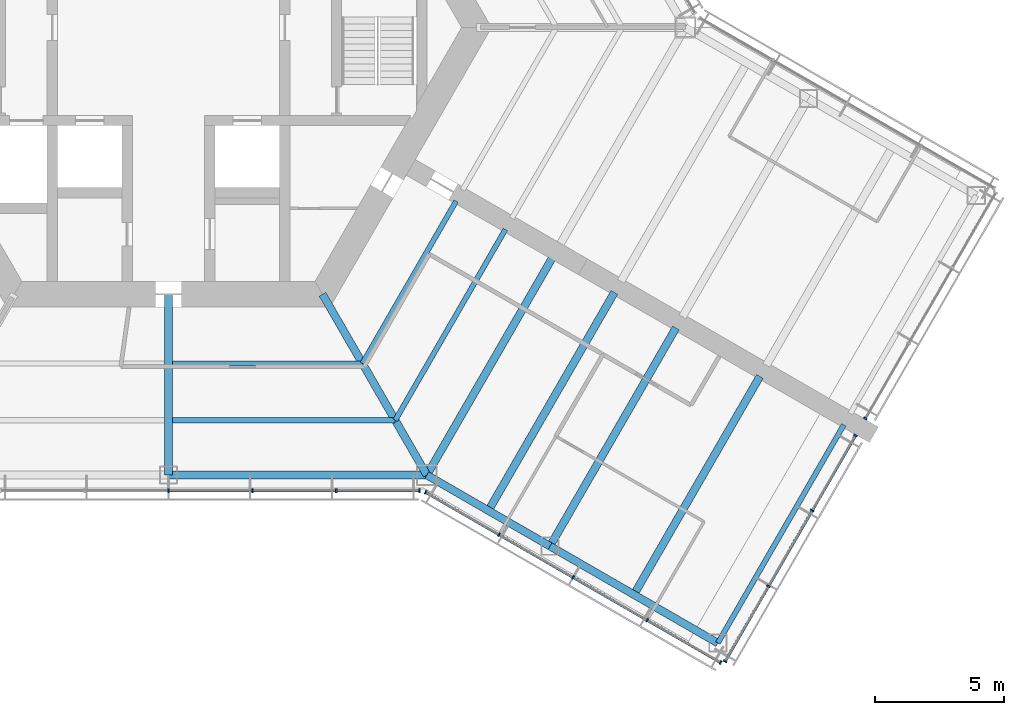
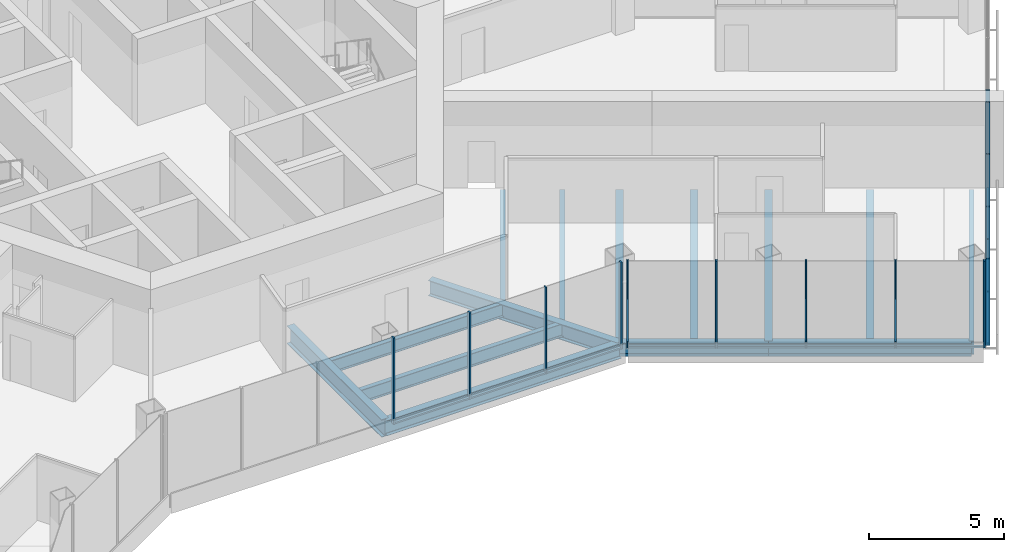
# One storey, part 5 of 18: 24 members, 14 beams, 4 elements without a shape of their own.
"""IFC4 building model written with IfcOpenShell, lengths in metres."""

from ifc_helpers import new_model, si_unit, direction, frame, origin, origin_2d, place, context, subcontext, project, spatial, rectangle, i_section, extrude, material, material_profile, profile_set, type_object, element, aggregate, save


model = new_model("IFC4")

# Units and contexts
model_context = context("Model", 3, precision=1e-05, world=origin(), true_north=direction((0.0, 1.0)))
body_context = subcontext(model_context, "Body", "Model", "MODEL_VIEW")
ifc_project = project(units=[si_unit("LENGTHUNIT", "METRE"), si_unit("AREAUNIT", "SQUARE_METRE"), si_unit("VOLUMEUNIT", "CUBIC_METRE"), si_unit("PLANEANGLEUNIT", "RADIAN"), si_unit("MASSUNIT", "GRAM", prefix="KILO")], contexts=[model_context])

# Site, building, storey
site_placement = place(None, origin())
site = spatial("IfcSite", under=ifc_project, at=site_placement, CompositionType="ELEMENT")
building_placement = place(site_placement, origin())
building = spatial("IfcBuilding", under=site, at=building_placement, Name="Kasaneha Research Tower", CompositionType="ELEMENT")
storey_placement = place(building_placement, frame((0.0, 0.0, 152.60009765625)))
storey = spatial("IfcBuildingStorey", under=building, at=storey_placement, Name="L38", CompositionType="ELEMENT", Elevation=152.60009765625)

# Beams
ifc_material_1 = material(Name="Steel SN490B", Category="steel")
ifc_material_profile_1 = material_profile(ifc_material_1, i_section(OverallWidth=0.199951171875, OverallDepth=0.60009765625, WebThickness=0.010986328125, FlangeThickness=0.01708984375, FilletRadius=0.012939453125, at=origin_2d()), Name="H-600x200x11x17")
ifc_profile_set_1 = profile_set([ifc_material_profile_1], Name="Steel SN490B")
beam_type_1 = type_object("IfcBeamType", Name="B1-3 secondary beam H-600x200x11x17", PredefinedType="JOIST", material=ifc_profile_set_1)
beam_1_placement = place(storey_placement, frame((7.505615234375, -13.0, -0.4501953125), z_axis=(-1.0, 0.0, 0.0), x_axis=(0.0, -1.0, 0.0)))
element("IfcBeam", 1, at=beam_1_placement, inside=storey, type_object=beam_type_1, Name="Secondary beam RS270R1 L38", PredefinedType="JOIST", context=body_context, shape_type="SweptSolid", body=[
    extrude(i_section(OverallWidth=0.199951171875, OverallDepth=0.60009765625, WebThickness=0.010986328125, FlangeThickness=0.01708984375, FilletRadius=0.012939453125, at=origin_2d()), origin(), (0.0, 0.0, 1.0), 7.355712890625),
])
beam_2_placement = place(storey_placement, frame((8.775634765625, -15.199951171875, -0.4501953125), z_axis=(-1.0, 0.0, 0.0), x_axis=(0.0, -1.0, 0.0)))
element("IfcBeam", 2, at=beam_2_placement, inside=storey, type_object=beam_type_1, Name="Secondary beam RS270R2 L38", PredefinedType="JOIST", context=body_context, shape_type="SweptSolid", body=[
    extrude(i_section(OverallWidth=0.199951171875, OverallDepth=0.60009765625, WebThickness=0.010986328125, FlangeThickness=0.01708984375, FilletRadius=0.012939453125, at=origin_2d()), origin(), (0.0, 0.0, 1.0), 8.625732421875),
])
beam_3_placement = place(storey_placement, frame((7.505615234375, -13.0, -0.4501953125), z_axis=(0.499993340521, 0.866029248602, 0.0), x_axis=(-0.866029248602, 0.499993340521, 0.0)))
element("IfcBeam", 3, at=beam_3_placement, inside=storey, type_object=beam_type_1, Name="Secondary beam RS330L1 L38", PredefinedType="JOIST", context=body_context, shape_type="SweptSolid", body=[
    extrude(i_section(OverallWidth=0.199951171875, OverallDepth=0.60009765625, WebThickness=0.010986328125, FlangeThickness=0.01708984375, FilletRadius=0.012939453125, at=origin_2d()), origin(), (0.0, 0.0, 1.0), 7.25537109375),
])
beam_4_placement = place(storey_placement, frame((8.775634765625, -15.199951171875, -0.4501953125), z_axis=(0.500004205306, 0.866022975836, 0.0), x_axis=(-0.866022975836, 0.500004205306, 0.0)))
element("IfcBeam", 4, at=beam_4_placement, inside=storey, type_object=beam_type_1, Name="Secondary beam RS330L2 L38", PredefinedType="JOIST", context=body_context, shape_type="SweptSolid", body=[
    extrude(i_section(OverallWidth=0.199951171875, OverallDepth=0.60009765625, WebThickness=0.010986328125, FlangeThickness=0.01708984375, FilletRadius=0.012939453125, at=origin_2d()), origin(), (0.0, 0.0, 1.0), 8.52587890625),
])
ifc_material_2 = material(Name="Steel SN490B", Category="steel")
ifc_material_profile_2 = material_profile(ifc_material_2, i_section(OverallWidth=0.300048828125, OverallDepth=0.58203125, WebThickness=0.011962890625, FlangeThickness=0.01708984375, FilletRadius=0.012939453125, at=origin_2d()), Name="H-582x300x12x17")
ifc_profile_set_2 = profile_set([ifc_material_profile_2], Name="Steel SN490B")
beam_type_2 = type_object("IfcBeamType", Name="B2-3 secondary beam H-582x300x12x17", PredefinedType="JOIST", material=ifc_profile_set_2)
for number, where, z_axis, x_axis, name in (
    (5, (12.381591796875, -18.695556640625, -0.441162109375), (0.499995560238, 0.866027967067, 0.0), (-0.866027967067, 0.499995560238, 0.0), "Secondary beam WBCP1 L38"),
    (6, (18.0107421875, -21.945556640625, -0.441162109375), (0.499995560238, 0.866027967067, 0.0), (-0.866027967067, 0.499995560238, 0.0), "Secondary beam WBCP2 L38"),
):
    element("IfcBeam", number, at=place(storey_placement, frame(where, z_axis=z_axis, x_axis=x_axis)), inside=storey, type_object=beam_type_2, Name=name, PredefinedType="JOIST", context=body_context, shape_type="SweptSolid", body=[
        extrude(i_section(OverallWidth=0.300048828125, OverallDepth=0.58203125, WebThickness=0.011962890625, FlangeThickness=0.01708984375, FilletRadius=0.012939453125, at=origin_2d()), origin(), (0.0, 0.0, 1.0), 9.75),
    ])

# Curtain wall, members
ifc_material_3 = material(Name="Glass and aluminium", Category="aluminium")
curtain_wall_type = type_object("IfcCurtainWallType", Name="Mid-rise office curtain wall", PredefinedType="USERDEFINED", material=ifc_material_3)
curtain_wall_1_placement = place(storey_placement, origin())
curtain_wall_1 = element("IfcCurtainWall", 7, at=curtain_wall_1_placement, inside=storey, type_object=curtain_wall_type, Name="CW-O2 L38 run 01a", ObjectType="UNITISED CURTAIN WALL", PredefinedType="USERDEFINED")
ifc_material_4 = material(Name="Aluminium 6063-T6", Category="aluminium")
ifc_material_profile_3 = material_profile(ifc_material_4, rectangle(XDim=0.06005859375, YDim=0.14990234375, at=origin_2d()), Name="CW-O2 mullion 60x150")
ifc_profile_set_3 = profile_set([ifc_material_profile_3], Name="Aluminium 6063-T6")
member_type_1 = type_object("IfcMemberType", Name="CW-O2 mullion", PredefinedType="MULLION", material=ifc_profile_set_3)
member_1_placement = place(storey_placement, frame((0.0, -17.92041015625, 0.0), z_axis=(0.0, 0.0, 1.0), x_axis=(1.0, 0.0, 0.0)))
member_1 = element("IfcMember", 8, at=member_1_placement, type_object=member_type_1, Name="CW-O2 mullion 4", PredefinedType="MULLION", context=body_context, shape_type="SweptSolid", body=[
    extrude(rectangle(XDim=0.06005859375, YDim=0.14990234375, at=origin_2d()), origin(), (0.0, 0.0, 1.0), 3.89990234375),
])
member_2_placement = place(storey_placement, frame((3.246337890625, -17.92041015625, 0.0), z_axis=(0.0, 0.0, 1.0), x_axis=(1.0, 0.0, 0.0)))
member_2 = element("IfcMember", 9, at=member_2_placement, type_object=member_type_1, Name="CW-O2 mullion 5", PredefinedType="MULLION", context=body_context, shape_type="SweptSolid", body=[
    extrude(rectangle(XDim=0.06005859375, YDim=0.14990234375, at=origin_2d()), origin(), (0.0, 0.0, 1.0), 3.89990234375),
])
member_3_placement = place(storey_placement, frame((6.492919921875, -17.92041015625, 0.0), z_axis=(0.0, 0.0, 1.0), x_axis=(1.0, 0.0, 0.0)))
member_3 = element("IfcMember", 10, at=member_3_placement, type_object=member_type_1, Name="CW-O2 mullion 6", PredefinedType="MULLION", context=body_context, shape_type="SweptSolid", body=[
    extrude(rectangle(XDim=0.06005859375, YDim=0.14990234375, at=origin_2d()), origin(), (0.0, 0.0, 1.0), 3.89990234375),
])
member_4_placement = place(storey_placement, frame((9.709228515625, -17.92041015625, 0.0), z_axis=(0.0, 0.0, 1.0), x_axis=(1.0, 0.0, 0.0)))
member_4 = element("IfcMember", 11, at=member_4_placement, type_object=member_type_1, Name="CW-O2 mullion 7", PredefinedType="MULLION", context=body_context, shape_type="SweptSolid", body=[
    extrude(rectangle(XDim=0.06005859375, YDim=0.14990234375, at=origin_2d()), origin(), (0.0, 0.0, 1.0), 3.89990234375),
])

curtain_wall_2_placement = place(storey_placement, origin())
curtain_wall_2 = element("IfcCurtainWall", 12, at=curtain_wall_2_placement, inside=storey, type_object=curtain_wall_type, Name="CW-O2 L38 run 02a", ObjectType="UNITISED CURTAIN WALL", PredefinedType="USERDEFINED")
member_5_placement = place(storey_placement, frame((9.951904296875, -17.985595703125, 0.0), z_axis=(0.0, 0.0, 1.0), x_axis=(0.866025411464, -0.499999986699, 0.0)))
member_5 = element("IfcMember", 13, at=member_5_placement, type_object=member_type_1, Name="CW-O2 mullion 1", PredefinedType="MULLION", context=body_context, shape_type="SweptSolid", body=[
    extrude(rectangle(XDim=0.06005859375, YDim=0.14990234375, at=origin_2d()), origin(), (0.0, 0.0, 1.0), 3.89990234375),
])
member_6_placement = place(storey_placement, frame((12.792236328125, -19.62548828125, 0.0), z_axis=(0.0, 0.0, 1.0), x_axis=(0.866025411464, -0.499999986699, 0.0)))
member_6 = element("IfcMember", 14, at=member_6_placement, type_object=member_type_1, Name="CW-O2 mullion 2", PredefinedType="MULLION", context=body_context, shape_type="SweptSolid", body=[
    extrude(rectangle(XDim=0.06005859375, YDim=0.14990234375, at=origin_2d()), origin(), (0.0, 0.0, 1.0), 3.89990234375),
])
member_7_placement = place(storey_placement, frame((15.65869140625, -21.2802734375, 0.0), z_axis=(0.0, 0.0, 1.0), x_axis=(0.866025411464, -0.499999986699, 0.0)))
member_7 = element("IfcMember", 15, at=member_7_placement, type_object=member_type_1, Name="CW-O2 mullion 3", PredefinedType="MULLION", context=body_context, shape_type="SweptSolid", body=[
    extrude(rectangle(XDim=0.06005859375, YDim=0.14990234375, at=origin_2d()), origin(), (0.0, 0.0, 1.0), 3.89990234375),
])
member_8_placement = place(storey_placement, frame((18.52490234375, -22.935302734375, 0.0), z_axis=(0.0, 0.0, 1.0), x_axis=(0.866025411464, -0.499999986699, 0.0)))
member_8 = element("IfcMember", 16, at=member_8_placement, type_object=member_type_1, Name="CW-O2 mullion 4", PredefinedType="MULLION", context=body_context, shape_type="SweptSolid", body=[
    extrude(rectangle(XDim=0.06005859375, YDim=0.14990234375, at=origin_2d()), origin(), (0.0, 0.0, 1.0), 3.89990234375),
])
member_9_placement = place(storey_placement, frame((21.365478515625, -24.5751953125, 0.0), z_axis=(0.0, 0.0, 1.0), x_axis=(0.866025411464, -0.499999986699, 0.0)))
member_9 = element("IfcMember", 17, at=member_9_placement, type_object=member_type_1, Name="CW-O2 mullion 5", PredefinedType="MULLION", context=body_context, shape_type="SweptSolid", body=[
    extrude(rectangle(XDim=0.06005859375, YDim=0.14990234375, at=origin_2d()), origin(), (0.0, 0.0, 1.0), 3.89990234375),
])

curtain_wall_3_placement = place(storey_placement, origin())
curtain_wall_3 = element("IfcCurtainWall", 18, at=curtain_wall_3_placement, inside=storey, type_object=curtain_wall_type, Name="CW-O2 L38 run 03a", ObjectType="UNITISED CURTAIN WALL", PredefinedType="USERDEFINED")
member_10_placement = place(storey_placement, frame((21.54296875, -24.527587890625, 0.0), z_axis=(0.0, 0.0, 1.0), x_axis=(0.500000011442, 0.866025397178, 0.0)))
member_10 = element("IfcMember", 19, at=member_10_placement, type_object=member_type_1, Name="CW-O2 mullion 1", PredefinedType="MULLION", context=body_context, shape_type="SweptSolid", body=[
    extrude(rectangle(XDim=0.06005859375, YDim=0.14990234375, at=origin_2d()), origin(), (0.0, 0.0, 1.0), 3.89990234375),
])
member_11_placement = place(storey_placement, frame((23.2197265625, -21.62353515625, 0.0), z_axis=(0.0, 0.0, 1.0), x_axis=(0.500000011442, 0.866025397178, 0.0)))
member_11 = element("IfcMember", 20, at=member_11_placement, type_object=member_type_1, Name="CW-O2 mullion 2", PredefinedType="MULLION", context=body_context, shape_type="SweptSolid", body=[
    extrude(rectangle(XDim=0.06005859375, YDim=0.14990234375, at=origin_2d()), origin(), (0.0, 0.0, 1.0), 3.89990234375),
])
member_12_placement = place(storey_placement, frame((24.911376953125, -18.693359375, 0.0), z_axis=(0.0, 0.0, 1.0), x_axis=(0.500000011442, 0.866025397178, 0.0)))
member_12 = element("IfcMember", 21, at=member_12_placement, type_object=member_type_1, Name="CW-O2 mullion 3", PredefinedType="MULLION", context=body_context, shape_type="SweptSolid", body=[
    extrude(rectangle(XDim=0.06005859375, YDim=0.14990234375, at=origin_2d()), origin(), (0.0, 0.0, 1.0), 3.89990234375),
])
member_13_placement = place(storey_placement, frame((26.587890625, -15.789306640625, 0.0), z_axis=(0.0, 0.0, 1.0), x_axis=(0.500000011442, 0.866025397178, 0.0)))
member_13 = element("IfcMember", 22, at=member_13_placement, type_object=member_type_1, Name="CW-O2 mullion 4", PredefinedType="MULLION", context=body_context, shape_type="SweptSolid", body=[
    extrude(rectangle(XDim=0.06005859375, YDim=0.14990234375, at=origin_2d()), origin(), (0.0, 0.0, 1.0), 3.89990234375),
])

# Curtain wall, member
curtain_wall_4_placement = place(storey_placement, origin())
curtain_wall_4 = element("IfcCurtainWall", 23, at=curtain_wall_4_placement, inside=storey, type_object=curtain_wall_type, Name="CW-O2 L38 run 04a", ObjectType="UNITISED CURTAIN WALL", PredefinedType="USERDEFINED")
member_14_placement = place(storey_placement, frame((26.968017578125, -15.131103515625, 0.0), z_axis=(0.0, 0.0, 1.0), x_axis=(0.500000011442, 0.866025397178, 0.0)))
member_14 = element("IfcMember", 24, at=member_14_placement, type_object=member_type_1, Name="CW-O2 mullion 1", PredefinedType="MULLION", context=body_context, shape_type="SweptSolid", body=[
    extrude(rectangle(XDim=0.06005859375, YDim=0.14990234375, at=origin_2d()), origin(), (0.0, 0.0, 1.0), 3.89990234375),
])
aggregate(curtain_wall_4, [member_14])

# Member
ifc_material_5 = material(Name="Aluminium 6063-T6", Category="aluminium")
ifc_material_profile_4 = material_profile(ifc_material_5, rectangle(XDim=0.110107421875, YDim=0.06005859375, at=origin_2d()), Name="CW-O2 transom 110x60")
ifc_profile_set_4 = profile_set([ifc_material_profile_4], Name="Aluminium 6063-T6")
member_type_2 = type_object("IfcMemberType", Name="CW-O2 transom", PredefinedType="USERDEFINED", material=ifc_profile_set_4)
member_15_placement = place(storey_placement, frame((0.030029296875, -17.92041015625, 0.02978515625), z_axis=(1.0, 0.0, 0.0), x_axis=(0.0, 1.0, 0.0)))
member_15 = element("IfcMember", 25, at=member_15_placement, type_object=member_type_2, Name="CW-O2 transom 4", ObjectType="TRANSOM", PredefinedType="USERDEFINED", context=body_context, shape_type="SweptSolid", body=[
    extrude(rectangle(XDim=0.110107421875, YDim=0.06005859375, at=origin_2d()), origin(), (0.0, 0.0, 1.0), 3.186279296875),
])

member_16_placement = place(storey_placement, frame((3.2763671875, -17.92041015625, 0.02978515625), z_axis=(1.0, 0.0, 0.0), x_axis=(0.0, 1.0, 0.0)))
member_16 = element("IfcMember", 26, at=member_16_placement, type_object=member_type_2, Name="CW-O2 transom 5", ObjectType="TRANSOM", PredefinedType="USERDEFINED", context=body_context, shape_type="SweptSolid", body=[
    extrude(rectangle(XDim=0.110107421875, YDim=0.06005859375, at=origin_2d()), origin(), (0.0, 0.0, 1.0), 3.1865234375),
])

member_17_placement = place(storey_placement, frame((6.522705078125, -17.92041015625, 0.02978515625), z_axis=(1.0, 0.0, 0.0), x_axis=(0.0, 1.0, 0.0)))
member_17 = element("IfcMember", 27, at=member_17_placement, type_object=member_type_2, Name="CW-O2 transom 6", ObjectType="TRANSOM", PredefinedType="USERDEFINED", context=body_context, shape_type="SweptSolid", body=[
    extrude(rectangle(XDim=0.110107421875, YDim=0.06005859375, at=origin_2d()), origin(), (0.0, 0.0, 1.0), 3.156494140625),
])

aggregate(curtain_wall_1, [member_1, member_2, member_3, member_4, member_15, member_16, member_17])

member_18_placement = place(storey_placement, frame((9.977783203125, -18.00048828125, 0.02978515625), z_axis=(0.866022692473, -0.500004696101, 0.0), x_axis=(0.500004696101, 0.866022692473, 0.0)))
member_18 = element("IfcMember", 28, at=member_18_placement, type_object=member_type_2, Name="CW-O2 transom 1", ObjectType="TRANSOM", PredefinedType="USERDEFINED", context=body_context, shape_type="SweptSolid", body=[
    extrude(rectangle(XDim=0.110107421875, YDim=0.06005859375, at=origin_2d()), origin(), (0.0, 0.0, 1.0), 3.2197265625),
])

member_19_placement = place(storey_placement, frame((12.818115234375, -19.640380859375, 0.02978515625), z_axis=(0.866015446554, -0.500017246033, 0.0), x_axis=(0.500017246033, 0.866015446554, 0.0)))
member_19 = element("IfcMember", 29, at=member_19_placement, type_object=member_type_2, Name="CW-O2 transom 2", ObjectType="TRANSOM", PredefinedType="USERDEFINED", context=body_context, shape_type="SweptSolid", body=[
    extrude(rectangle(XDim=0.110107421875, YDim=0.06005859375, at=origin_2d()), origin(), (0.0, 0.0, 1.0), 3.25),
])

member_20_placement = place(storey_placement, frame((15.6845703125, -21.29541015625, 0.02978515625), z_axis=(0.86604797581, -0.499960902066, 0.0), x_axis=(0.499960902066, 0.86604797581, 0.0)))
member_20 = element("IfcMember", 30, at=member_20_placement, type_object=member_type_2, Name="CW-O2 transom 3", ObjectType="TRANSOM", PredefinedType="USERDEFINED", context=body_context, shape_type="SweptSolid", body=[
    extrude(rectangle(XDim=0.110107421875, YDim=0.06005859375, at=origin_2d()), origin(), (0.0, 0.0, 1.0), 3.249755859375),
])

member_21_placement = place(storey_placement, frame((18.551025390625, -22.9501953125, 0.02978515625), z_axis=(0.866022692473, -0.500004696101, 0.0), x_axis=(0.500004696101, 0.866022692473, 0.0)))
member_21 = element("IfcMember", 31, at=member_21_placement, type_object=member_type_2, Name="CW-O2 transom 4", ObjectType="TRANSOM", PredefinedType="USERDEFINED", context=body_context, shape_type="SweptSolid", body=[
    extrude(rectangle(XDim=0.110107421875, YDim=0.06005859375, at=origin_2d()), origin(), (0.0, 0.0, 1.0), 3.2197265625),
])

aggregate(curtain_wall_2, [member_5, member_6, member_7, member_8, member_9, member_18, member_19, member_20, member_21])

member_22_placement = place(storey_placement, frame((21.557861328125, -24.50146484375, 0.02978515625), z_axis=(0.500021914551, 0.866012751043, 0.0), x_axis=(-0.866012751043, 0.500021914551, 0.0)))
member_22 = element("IfcMember", 32, at=member_22_placement, type_object=member_type_2, Name="CW-O2 transom 1", ObjectType="TRANSOM", PredefinedType="USERDEFINED", context=body_context, shape_type="SweptSolid", body=[
    extrude(rectangle(XDim=0.110107421875, YDim=0.06005859375, at=origin_2d()), origin(), (0.0, 0.0, 1.0), 3.293212890625),
])

member_23_placement = place(storey_placement, frame((23.234619140625, -21.597412109375, 0.02978515625), z_axis=(0.500010745865, 0.866019199568, 0.0), x_axis=(-0.866019199568, 0.500010745865, 0.0)))
member_23 = element("IfcMember", 33, at=member_23_placement, type_object=member_type_2, Name="CW-O2 transom 2", ObjectType="TRANSOM", PredefinedType="USERDEFINED", context=body_context, shape_type="SweptSolid", body=[
    extrude(rectangle(XDim=0.110107421875, YDim=0.06005859375, at=origin_2d()), origin(), (0.0, 0.0, 1.0), 3.3232421875),
])

member_24_placement = place(storey_placement, frame((24.92626953125, -18.66748046875, 0.02978515625), z_axis=(0.500021914551, 0.866012751043, 0.0), x_axis=(-0.866012751043, 0.500021914551, 0.0)))
member_24 = element("IfcMember", 34, at=member_24_placement, type_object=member_type_2, Name="CW-O2 transom 3", ObjectType="TRANSOM", PredefinedType="USERDEFINED", context=body_context, shape_type="SweptSolid", body=[
    extrude(rectangle(XDim=0.110107421875, YDim=0.06005859375, at=origin_2d()), origin(), (0.0, 0.0, 1.0), 3.293212890625),
])

aggregate(curtain_wall_3, [member_10, member_11, member_12, member_13, member_22, member_23, member_24])

# Beams
ifc_material_6 = material(Name="Steel SN490B", Category="steel")
ifc_material_profile_5 = material_profile(ifc_material_6, i_section(OverallWidth=0.300048828125, OverallDepth=0.699951171875, WebThickness=0.012939453125, FlangeThickness=0.02392578125, FilletRadius=0.01806640625, at=origin_2d()), Name="H-700x300x13x24")
ifc_profile_set_5 = profile_set([ifc_material_profile_5], Name="Steel SN490B")
beam_type_3 = type_object("IfcBeamType", Name="G1-3 radial girder H-700x300x13x24", PredefinedType="BEAM", material=ifc_profile_set_5)
beam_5_placement = place(storey_placement, frame((5.961181640625, -10.324951171875, -0.5), z_axis=(0.49999105496, -0.866030568144, 0.0), x_axis=(0.866030568144, 0.49999105496, 0.0)))
element("IfcBeam", 35, at=beam_5_placement, inside=storey, type_object=beam_type_3, Name="Radial girder RV300 L38", PredefinedType="BEAM", context=body_context, shape_type="SweptSolid", body=[
    extrude(i_section(OverallWidth=0.300048828125, OverallDepth=0.699951171875, WebThickness=0.012939453125, FlangeThickness=0.02392578125, FilletRadius=0.01806640625, at=origin_2d()), origin(), (0.0, 0.0, 1.0), 8.077880859375),
])
ifc_material_7 = material(Name="Steel SN490B", Category="steel")
ifc_material_profile_6 = material_profile(ifc_material_7, i_section(OverallWidth=0.300048828125, OverallDepth=0.800048828125, WebThickness=0.013916015625, FlangeThickness=0.02587890625, FilletRadius=0.01806640625, at=origin_2d()), Name="H-800x300x14x26")
ifc_profile_set_6 = profile_set([ifc_material_profile_6], Name="Steel SN490B")
beam_type_4 = type_object("IfcBeamType", Name="G2-3 radial girder H-800x300x14x26", PredefinedType="BEAM", material=ifc_profile_set_6)
beam_6_placement = place(storey_placement, frame((0.0, -10.324951171875, -0.550048828125), z_axis=(0.0, -1.0, 0.0), x_axis=(1.0, 0.0, 0.0)))
element("IfcBeam", 36, at=beam_6_placement, inside=storey, type_object=beam_type_4, Name="Radial girder RM270 L38", PredefinedType="BEAM", context=body_context, shape_type="SweptSolid", body=[
    extrude(i_section(OverallWidth=0.300048828125, OverallDepth=0.800048828125, WebThickness=0.013916015625, FlangeThickness=0.02587890625, FilletRadius=0.01806640625, at=origin_2d()), origin(), (0.0, 0.0, 1.0), 6.99560546875),
])
ifc_material_8 = material(Name="Steel SN490B", Category="steel")
ifc_material_profile_7 = material_profile(ifc_material_8, i_section(OverallWidth=0.300048828125, OverallDepth=0.69189453125, WebThickness=0.012939453125, FlangeThickness=0.02001953125, FilletRadius=0.01806640625, at=origin_2d()), Name="H-692x300x13x20")
ifc_profile_set_7 = profile_set([ifc_material_profile_7], Name="Steel SN490B")
beam_type_5 = type_object("IfcBeamType", Name="G3-3 plate edge girder H-692x300x13x20", PredefinedType="BEAM", material=ifc_profile_set_7)
beam_7_placement = place(storey_placement, frame((10.0, -17.320556640625, -0.49609375), z_axis=(0.499995560238, 0.866027967067, 0.0), x_axis=(-0.866027967067, 0.499995560238, 0.0)))
element("IfcBeam", 37, at=beam_7_placement, inside=storey, type_object=beam_type_5, Name="Plate edge girder PECP L38", PredefinedType="BEAM", context=body_context, shape_type="SweptSolid", body=[
    extrude(i_section(OverallWidth=0.300048828125, OverallDepth=0.69189453125, WebThickness=0.012939453125, FlangeThickness=0.02001953125, FilletRadius=0.01806640625, at=origin_2d()), origin(), (0.0, 0.0, 1.0), 9.75),
])
ifc_material_9 = material(Name="Steel SN490B", Category="steel")
ifc_material_profile_8 = material_profile(ifc_material_9, i_section(OverallWidth=0.300048828125, OverallDepth=0.699951171875, WebThickness=0.012939453125, FlangeThickness=0.02392578125, FilletRadius=0.01806640625, at=origin_2d()), Name="H-700x300x13x24")
ifc_profile_set_8 = profile_set([ifc_material_profile_8], Name="Steel SN490B")
beam_type_6 = type_object("IfcBeamType", Name="G4-3 wing girder H-700x300x13x24", PredefinedType="BEAM", material=ifc_profile_set_8)
beam_8_placement = place(storey_placement, frame((14.76318359375, -20.070556640625, -0.5), z_axis=(0.499995560238, 0.866027967067, 0.0), x_axis=(-0.866027967067, 0.499995560238, 0.0)))
element("IfcBeam", 38, at=beam_8_placement, inside=storey, type_object=beam_type_6, Name="Wing girder WGCP L38", PredefinedType="BEAM", context=body_context, shape_type="SweptSolid", body=[
    extrude(i_section(OverallWidth=0.300048828125, OverallDepth=0.699951171875, WebThickness=0.012939453125, FlangeThickness=0.02392578125, FilletRadius=0.01806640625, at=origin_2d()), origin(), (0.0, 0.0, 1.0), 9.75),
])
ifc_material_10 = material(Name="Steel SN490B", Category="steel")
ifc_material_profile_9 = material_profile(ifc_material_10, i_section(OverallWidth=0.300048828125, OverallDepth=0.69189453125, WebThickness=0.012939453125, FlangeThickness=0.02001953125, FilletRadius=0.01806640625, at=origin_2d()), Name="H-692x300x13x20")
ifc_profile_set_9 = profile_set([ifc_material_profile_9], Name="Steel SN490B")
beam_type_7 = type_object("IfcBeamType", Name="SB1-3 spandrel beam H-692x300x13x20", PredefinedType="SPANDREL", material=ifc_profile_set_9)
beam_9_placement = place(storey_placement, frame((10.0, -17.320556640625, -0.49609375), z_axis=(-1.0, 0.0, 0.0), x_axis=(0.0, -1.0, 0.0)))
element("IfcBeam", 39, at=beam_9_placement, inside=storey, type_object=beam_type_7, Name="Spandrel beam SR270R L38", PredefinedType="SPANDREL", context=body_context, shape_type="SweptSolid", body=[
    extrude(i_section(OverallWidth=0.300048828125, OverallDepth=0.69189453125, WebThickness=0.012939453125, FlangeThickness=0.02001953125, FilletRadius=0.01806640625, at=origin_2d()), origin(), (0.0, 0.0, 1.0), 10.0),
])
ifc_material_11 = material(Name="Steel SN490B", Category="steel")
ifc_material_profile_10 = material_profile(ifc_material_11, i_section(OverallWidth=0.300048828125, OverallDepth=0.58203125, WebThickness=0.011962890625, FlangeThickness=0.01708984375, FilletRadius=0.012939453125, at=origin_2d()), Name="H-582x300x12x17")
ifc_profile_set_10 = profile_set([ifc_material_profile_10], Name="Steel SN490B")
beam_type_8 = type_object("IfcBeamType", Name="SB2-3 spandrel beam H-582x300x12x17", PredefinedType="SPANDREL", material=ifc_profile_set_10)
beam_10_placement = place(storey_placement, frame((10.0, -17.320556640625, -0.441162109375), z_axis=(0.866027397988, -0.499996545922, 0.0), x_axis=(0.499996545922, 0.866027397988, 0.0)))
element("IfcBeam", 40, at=beam_10_placement, inside=storey, type_object=beam_type_8, Name="Spandrel beam WSCP1 L38", PredefinedType="SPANDREL", context=body_context, shape_type="SweptSolid", body=[
    extrude(i_section(OverallWidth=0.300048828125, OverallDepth=0.58203125, WebThickness=0.011962890625, FlangeThickness=0.01708984375, FilletRadius=0.012939453125, at=origin_2d()), origin(), (0.0, 0.0, 1.0), 5.5),
])
beam_11_placement = place(storey_placement, frame((14.76318359375, -20.070556640625, -0.441162109375), z_axis=(0.866022959057, -0.500004234368, 0.0), x_axis=(0.500004234368, 0.866022959057, 0.0)))
element("IfcBeam", 41, at=beam_11_placement, inside=storey, type_object=beam_type_8, Name="Spandrel beam WSCP2 L38", PredefinedType="SPANDREL", context=body_context, shape_type="SweptSolid", body=[
    extrude(i_section(OverallWidth=0.300048828125, OverallDepth=0.58203125, WebThickness=0.011962890625, FlangeThickness=0.01708984375, FilletRadius=0.012939453125, at=origin_2d()), origin(), (0.0, 0.0, 1.0), 7.5),
])
ifc_material_12 = material(Name="Steel SN490B", Category="steel")
ifc_material_profile_11 = material_profile(ifc_material_12, i_section(OverallWidth=0.199951171875, OverallDepth=0.60009765625, WebThickness=0.010986328125, FlangeThickness=0.01708984375, FilletRadius=0.012939453125, at=origin_2d()), Name="H-600x200x11x17")
ifc_profile_set_11 = profile_set([ifc_material_profile_11], Name="Steel SN490B")
beam_type_9 = type_object("IfcBeamType", Name="SB3-3 spandrel beam H-600x200x11x17", PredefinedType="SPANDREL", material=ifc_profile_set_11)
beam_12_placement = place(storey_placement, frame((21.25830078125, -23.820556640625, -0.4501953125), z_axis=(0.499995560238, 0.866027967067, 0.0), x_axis=(-0.866027967067, 0.499995560238, 0.0)))
element("IfcBeam", 42, at=beam_12_placement, inside=storey, type_object=beam_type_9, Name="Spandrel beam WTCP L38", PredefinedType="SPANDREL", context=body_context, shape_type="SweptSolid", body=[
    extrude(i_section(OverallWidth=0.199951171875, OverallDepth=0.60009765625, WebThickness=0.010986328125, FlangeThickness=0.01708984375, FilletRadius=0.012939453125, at=origin_2d()), origin(), (0.0, 0.0, 1.0), 9.75),
])

save(model, "model.ifc")
